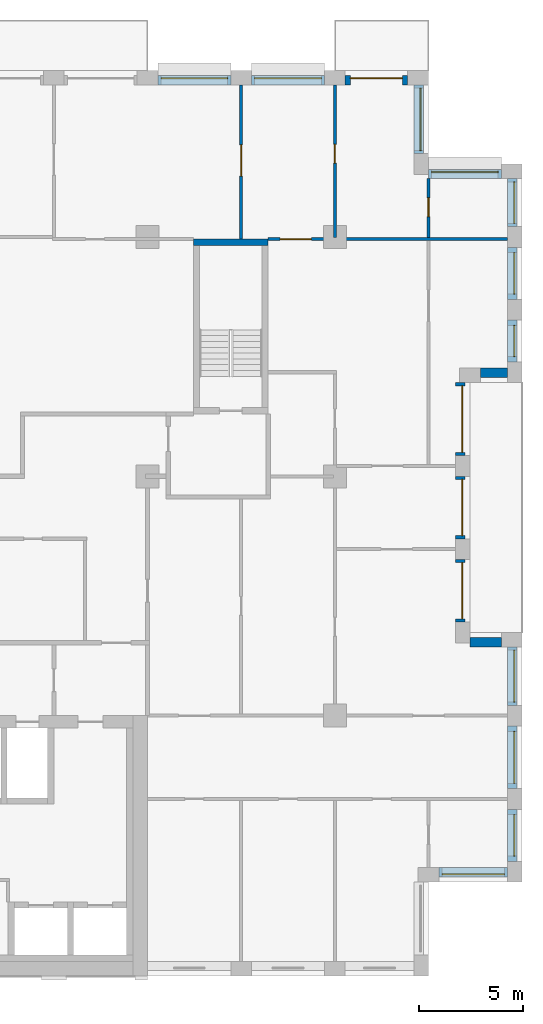
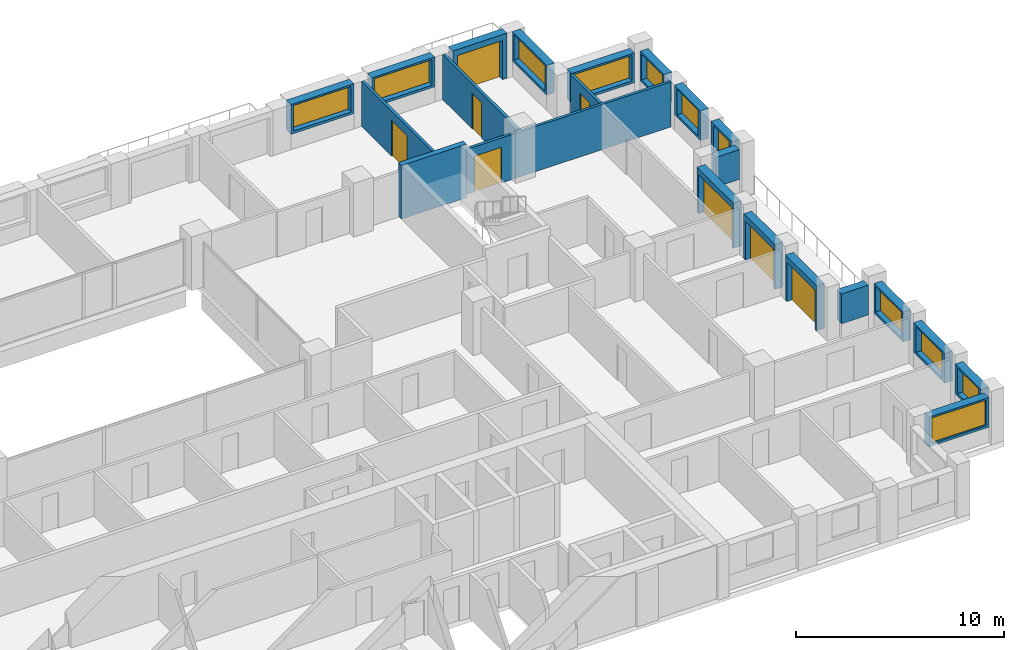
# One storey, part 14 of 16: 22 walls, 11 windows, 8 doors, 19 openings.
"""IFC4 building model written with IfcOpenShell, lengths in metres."""

from ifc_helpers import new_model, si_unit, direction, frame, frame_2d, origin, place, context, subcontext, project, spatial, rectangle, extrude, material, layer, layer_set, type_object, element, fill, save


model = new_model("IFC4")

# Units and contexts
model_context = context("Model", 3, precision=1e-05, world=origin(), true_north=direction((0.0, 1.0)))
body_context = subcontext(model_context, "Body", "Model", "MODEL_VIEW")
ifc_project = project(units=[si_unit("LENGTHUNIT", "METRE"), si_unit("AREAUNIT", "SQUARE_METRE"), si_unit("VOLUMEUNIT", "CUBIC_METRE"), si_unit("PLANEANGLEUNIT", "RADIAN"), si_unit("MASSUNIT", "GRAM", prefix="KILO")], contexts=[model_context])

# Site, building, storey
site_placement = place(None, origin())
site = spatial("IfcSite", under=ifc_project, at=site_placement, CompositionType="ELEMENT")
building_placement = place(site_placement, origin())
building = spatial("IfcBuilding", under=site, at=building_placement, Name="Brigalow Station Residences", CompositionType="ELEMENT")
storey_placement = place(building_placement, frame((0.0, 0.0, 182.25)))
storey = spatial("IfcBuildingStorey", under=building, at=storey_placement, Name="L53", CompositionType="ELEMENT", Elevation=182.25)

# Wall, opening, window
ifc_material_1 = material(Name="Clay brick masonry", Category="masonry")
ifc_layer_1 = layer(ifc_material_1, 0.449951171875)
ifc_layer_set_1 = layer_set([ifc_layer_1], Name="BRICK INFILL WALL 450")
wall_type_1 = type_object("IfcWallType", Name="BRICK INFILL WALL 450", PredefinedType="SOLIDWALL", material=ifc_layer_set_1)
wall_1_placement = place(storey_placement, frame((68.0, 4.97509765625, 0.89990234375), z_axis=(0.0, 0.0, 1.0), x_axis=(1.0, 0.0, 0.0)))
wall_1 = element("IfcWall", 1, at=wall_1_placement, inside=storey, type_object=wall_type_1, Name="L53/ewall/W-L53-8", PredefinedType="SOLIDWALL", context=body_context, shape_type="SweptSolid", body=[
    extrude(rectangle(XDim=3.300048828125, YDim=0.449951171875, at=frame_2d((1.64990234375, 0.0))), origin(), (0.0, 0.0, 1.0), 1.75),
])
opening_1_placement = place(wall_1_placement, frame((0.14990234375, 0.0, 0.14990234375)))
opening_1 = element("IfcOpeningElement", 2, at=opening_1_placement, cuts=wall_1, Name="Opening WT-2", PredefinedType="OPENING", context=body_context, shape_type="SweptSolid", body=[
    extrude(rectangle(XDim=3.0, YDim=1.5, at=frame_2d((1.5, 0.75))), frame((0.0, 0.23486328125, 0.0), z_axis=(0.0, -1.0, 0.0), x_axis=(1.0, 0.0, 0.0)), (0.0, 0.0, 1.0), 0.469970703125),
])
ifc_material_2 = material(Name="Anodised aluminium frame with double glazing", Category="aluminium")
window_type_1 = type_object("IfcWindowType", Name="WINDOW 3000x1500", PartitioningType="SINGLE_PANEL", PredefinedType="WINDOW", material=ifc_material_2)
window_1_placement = place(opening_1_placement, origin())
window_1 = element("IfcWindow", 3, at=window_1_placement, inside=storey, type_object=window_type_1, Name="L53/window/W-L53-8", OverallHeight=1.5, OverallWidth=3.0, PartitioningType="SINGLE_PANEL", PredefinedType="WINDOW", context=body_context, shape_type="SweptSolid", body=[
    extrude(rectangle(XDim=3.0, YDim=1.5, at=frame_2d((1.5, 0.75))), frame((0.0, -0.06494140625, 0.0), z_axis=(0.0, -1.0, 0.0), x_axis=(1.0, 0.0, 0.0)), (0.0, 0.0, 1.0), 0.06005859375),
])
fill(opening_1, window_1)

wall_2_placement = place(storey_placement, frame((71.52490234375, 5.5, 0.89990234375), z_axis=(0.0, 0.0, 1.0), x_axis=(0.0, 1.0, 0.0)))
wall_2 = element("IfcWall", 4, at=wall_2_placement, inside=storey, type_object=wall_type_1, Name="L53/ewall/W-L53-9", PredefinedType="SOLIDWALL", context=body_context, shape_type="SweptSolid", body=[
    extrude(rectangle(XDim=2.5, YDim=0.449951171875, at=frame_2d((1.25, 0.0))), origin(), (0.0, 0.0, 1.0), 1.75),
])
opening_2_placement = place(wall_2_placement, frame((0.25, 0.0, 0.14990234375)))
opening_2 = element("IfcOpeningElement", 5, at=opening_2_placement, cuts=wall_2, Name="Opening WT-7", PredefinedType="OPENING", context=body_context, shape_type="SweptSolid", body=[
    extrude(rectangle(XDim=2.0, YDim=1.5, at=frame_2d((1.0, 0.75))), frame((0.0, 0.23486328125, 0.0), z_axis=(0.0, -1.0, 0.0), x_axis=(1.0, 0.0, 0.0)), (0.0, 0.0, 1.0), 0.469970703125),
])
ifc_material_3 = material(Name="Anodised aluminium frame with double glazing", Category="aluminium")
window_type_2 = type_object("IfcWindowType", Name="WINDOW 2000x1500", PartitioningType="SINGLE_PANEL", PredefinedType="WINDOW", material=ifc_material_3)
window_2_placement = place(opening_2_placement, origin())
window_2 = element("IfcWindow", 6, at=window_2_placement, inside=storey, type_object=window_type_2, Name="L53/window/W-L53-9", OverallHeight=1.5, OverallWidth=2.0, PartitioningType="SINGLE_PANEL", PredefinedType="WINDOW", context=body_context, shape_type="SweptSolid", body=[
    extrude(rectangle(XDim=2.0, YDim=1.5, at=frame_2d((1.0, 0.75))), frame((0.0, -0.06494140625, 0.0), z_axis=(0.0, -1.0, 0.0), x_axis=(1.0, 0.0, 0.0)), (0.0, 0.0, 1.0), 0.06005859375),
])
fill(opening_2, window_2)

wall_3_placement = place(storey_placement, frame((71.52490234375, 9.0, 0.89990234375), z_axis=(0.0, 0.0, 1.0), x_axis=(0.0, 1.0, 0.0)))
wall_3 = element("IfcWall", 7, at=wall_3_placement, inside=storey, type_object=wall_type_1, Name="L53/ewall/W-L53-10", PredefinedType="SOLIDWALL", context=body_context, shape_type="SweptSolid", body=[
    extrude(rectangle(XDim=3.0, YDim=0.449951171875, at=frame_2d((1.5, 0.0))), origin(), (0.0, 0.0, 1.0), 1.75),
])
opening_3_placement = place(wall_3_placement, frame((0.25, 0.0, 0.14990234375)))
opening_3 = element("IfcOpeningElement", 8, at=opening_3_placement, cuts=wall_3, Name="Opening WT-5", PredefinedType="OPENING", context=body_context, shape_type="SweptSolid", body=[
    extrude(rectangle(XDim=2.5, YDim=1.5, at=frame_2d((1.25, 0.75))), frame((0.0, 0.23486328125, 0.0), z_axis=(0.0, -1.0, 0.0), x_axis=(1.0, 0.0, 0.0)), (0.0, 0.0, 1.0), 0.469970703125),
])
ifc_material_4 = material(Name="Anodised aluminium frame with double glazing", Category="aluminium")
window_type_3 = type_object("IfcWindowType", Name="WINDOW 2500x1500", PartitioningType="SINGLE_PANEL", PredefinedType="WINDOW", material=ifc_material_4)
window_3_placement = place(opening_3_placement, origin())
window_3 = element("IfcWindow", 9, at=window_3_placement, inside=storey, type_object=window_type_3, Name="L53/window/W-L53-10", OverallHeight=1.5, OverallWidth=2.5, PartitioningType="SINGLE_PANEL", PredefinedType="WINDOW", context=body_context, shape_type="SweptSolid", body=[
    extrude(rectangle(XDim=2.5, YDim=1.5, at=frame_2d((1.25, 0.75))), frame((0.0, -0.06494140625, 0.0), z_axis=(0.0, -1.0, 0.0), x_axis=(1.0, 0.0, 0.0)), (0.0, 0.0, 1.0), 0.06005859375),
])
fill(opening_3, window_3)

wall_4_placement = place(storey_placement, frame((71.52490234375, 13.0, 0.89990234375), z_axis=(0.0, 0.0, 1.0), x_axis=(0.0, 1.0, 0.0)))
wall_4 = element("IfcWall", 10, at=wall_4_placement, inside=storey, type_object=wall_type_1, Name="L53/ewall/W-L53-11", PredefinedType="SOLIDWALL", context=body_context, shape_type="SweptSolid", body=[
    extrude(rectangle(XDim=2.800048828125, YDim=0.449951171875, at=frame_2d((1.39990234375, 0.0))), origin(), (0.0, 0.0, 1.0), 1.75),
])
opening_4_placement = place(wall_4_placement, frame((0.14990234375, 0.0, 0.14990234375)))
opening_4 = element("IfcOpeningElement", 11, at=opening_4_placement, cuts=wall_4, Name="Opening WT-5", PredefinedType="OPENING", context=body_context, shape_type="SweptSolid", body=[
    extrude(rectangle(XDim=2.5, YDim=1.5, at=frame_2d((1.25, 0.75))), frame((0.0, 0.23486328125, 0.0), z_axis=(0.0, -1.0, 0.0), x_axis=(1.0, 0.0, 0.0)), (0.0, 0.0, 1.0), 0.469970703125),
])
window_4_placement = place(opening_4_placement, origin())
window_4 = element("IfcWindow", 12, at=window_4_placement, inside=storey, type_object=window_type_3, Name="L53/window/W-L53-11", OverallHeight=1.5, OverallWidth=2.5, PartitioningType="SINGLE_PANEL", PredefinedType="WINDOW", context=body_context, shape_type="SweptSolid", body=[
    extrude(rectangle(XDim=2.5, YDim=1.5, at=frame_2d((1.25, 0.75))), frame((0.0, -0.06494140625, 0.0), z_axis=(0.0, -1.0, 0.0), x_axis=(1.0, 0.0, 0.0)), (0.0, 0.0, 1.0), 0.06005859375),
])
fill(opening_4, window_4)

# Wall
wall_5_placement = place(storey_placement, frame((71.0, 16.02490234375, 0.89990234375), z_axis=(0.0, 0.0, 1.0), x_axis=(-1.0, 0.0, 0.0)))
element("IfcWall", 13, at=wall_5_placement, inside=storey, type_object=wall_type_1, Name="L53/ewall/W-L53-12", PredefinedType="SOLIDWALL", context=body_context, shape_type="SweptSolid", body=[
    extrude(rectangle(XDim=1.5, YDim=0.449951171875, at=frame_2d((0.75, 0.0))), origin(), (0.0, 0.0, 1.0), 1.75),
])

# Wall, opening, door
wall_6_placement = place(storey_placement, frame((69.02490234375, 17.0, 0.0), z_axis=(0.0, 0.0, 1.0), x_axis=(0.0, 1.0, 0.0)))
wall_6 = element("IfcWall", 14, at=wall_6_placement, inside=storey, type_object=wall_type_1, Name="L53/ewall/W-L53-13", PredefinedType="SOLIDWALL", context=body_context, shape_type="SweptSolid", body=[
    extrude(rectangle(XDim=3.0, YDim=0.449951171875, at=frame_2d((1.5, 0.0))), origin(), (0.0, 0.0, 1.0), 2.64990234375),
])
opening_5_placement = place(wall_6_placement, frame((0.14990234375, 0.0, 0.0)))
opening_5 = element("IfcOpeningElement", 15, at=opening_5_placement, cuts=wall_6, Name="Opening D-B2700", PredefinedType="OPENING", context=body_context, shape_type="SweptSolid", body=[
    extrude(rectangle(XDim=2.699951171875, YDim=2.300048828125, at=frame_2d((1.35009765625, 1.14990234375))), frame((0.0, 0.23486328125, 0.0), z_axis=(0.0, -1.0, 0.0), x_axis=(1.0, 0.0, 0.0)), (0.0, 0.0, 1.0), 0.469970703125),
])
ifc_material_5 = material(Name="Anodised aluminium frame with double glazing", Category="aluminium")
door_type_1 = type_object("IfcDoorType", Name="BALCONY SLIDING DOOR 2700x2300", OperationType="SLIDING_TO_LEFT", PredefinedType="DOOR", material=ifc_material_5)
door_1_placement = place(opening_5_placement, origin())
door_1 = element("IfcDoor", 16, at=door_1_placement, inside=storey, type_object=door_type_1, Name="L53/balcony-door/W-L53-13", OperationType="SLIDING_TO_LEFT", OverallHeight=2.300048828125, OverallWidth=2.699951171875, PredefinedType="DOOR", context=body_context, shape_type="SweptSolid", body=[
    extrude(rectangle(XDim=2.699951171875, YDim=2.300048828125, at=frame_2d((1.35009765625, 1.14990234375))), frame((0.0, -0.06982421875, 0.0), z_axis=(0.0, -1.0, 0.0), x_axis=(1.0, 0.0, 0.0)), (0.0, 0.0, 1.0), 0.050048828125),
])
fill(opening_5, door_1)

wall_7_placement = place(storey_placement, frame((69.02490234375, 21.0, 0.0), z_axis=(0.0, 0.0, 1.0), x_axis=(0.0, 1.0, 0.0)))
wall_7 = element("IfcWall", 17, at=wall_7_placement, inside=storey, type_object=wall_type_1, Name="L53/ewall/W-L53-14", PredefinedType="SOLIDWALL", context=body_context, shape_type="SweptSolid", body=[
    extrude(rectangle(XDim=3.0, YDim=0.449951171875, at=frame_2d((1.5, 0.0))), origin(), (0.0, 0.0, 1.0), 2.64990234375),
])
opening_6_placement = place(wall_7_placement, frame((0.14990234375, 0.0, 0.0)))
opening_6 = element("IfcOpeningElement", 18, at=opening_6_placement, cuts=wall_7, Name="Opening D-B2700", PredefinedType="OPENING", context=body_context, shape_type="SweptSolid", body=[
    extrude(rectangle(XDim=2.699951171875, YDim=2.300048828125, at=frame_2d((1.35009765625, 1.14990234375))), frame((0.0, 0.23486328125, 0.0), z_axis=(0.0, -1.0, 0.0), x_axis=(1.0, 0.0, 0.0)), (0.0, 0.0, 1.0), 0.469970703125),
])
door_2_placement = place(opening_6_placement, origin())
door_2 = element("IfcDoor", 19, at=door_2_placement, inside=storey, type_object=door_type_1, Name="L53/balcony-door/W-L53-14", OperationType="SLIDING_TO_LEFT", OverallHeight=2.300048828125, OverallWidth=2.699951171875, PredefinedType="DOOR", context=body_context, shape_type="SweptSolid", body=[
    extrude(rectangle(XDim=2.699951171875, YDim=2.300048828125, at=frame_2d((1.35009765625, 1.14990234375))), frame((0.0, -0.06982421875, 0.0), z_axis=(0.0, -1.0, 0.0), x_axis=(1.0, 0.0, 0.0)), (0.0, 0.0, 1.0), 0.050048828125),
])
fill(opening_6, door_2)

wall_8_placement = place(storey_placement, frame((69.02490234375, 25.0, 0.0), z_axis=(0.0, 0.0, 1.0), x_axis=(0.0, 1.0, 0.0)))
wall_8 = element("IfcWall", 20, at=wall_8_placement, inside=storey, type_object=wall_type_1, Name="L53/ewall/W-L53-15", PredefinedType="SOLIDWALL", context=body_context, shape_type="SweptSolid", body=[
    extrude(rectangle(XDim=3.5, YDim=0.449951171875, at=frame_2d((1.75, 0.0))), origin(), (0.0, 0.0, 1.0), 2.64990234375),
])
opening_7_placement = place(wall_8_placement, frame((0.14990234375, 0.0, 0.0)))
opening_7 = element("IfcOpeningElement", 21, at=opening_7_placement, cuts=wall_8, Name="Opening D-B3200", PredefinedType="OPENING", context=body_context, shape_type="SweptSolid", body=[
    extrude(rectangle(XDim=3.199951171875, YDim=2.300048828125, at=frame_2d((1.60009765625, 1.14990234375))), frame((0.0, 0.23486328125, 0.0), z_axis=(0.0, -1.0, 0.0), x_axis=(1.0, 0.0, 0.0)), (0.0, 0.0, 1.0), 0.469970703125),
])
ifc_material_6 = material(Name="Anodised aluminium frame with double glazing", Category="aluminium")
door_type_2 = type_object("IfcDoorType", Name="BALCONY SLIDING DOOR 3200x2300", OperationType="SLIDING_TO_LEFT", PredefinedType="DOOR", material=ifc_material_6)
door_3_placement = place(opening_7_placement, origin())
door_3 = element("IfcDoor", 22, at=door_3_placement, inside=storey, type_object=door_type_2, Name="L53/balcony-door/W-L53-15", OperationType="SLIDING_TO_LEFT", OverallHeight=2.300048828125, OverallWidth=3.199951171875, PredefinedType="DOOR", context=body_context, shape_type="SweptSolid", body=[
    extrude(rectangle(XDim=3.199951171875, YDim=2.300048828125, at=frame_2d((1.60009765625, 1.14990234375))), frame((0.0, -0.06982421875, 0.0), z_axis=(0.0, -1.0, 0.0), x_axis=(1.0, 0.0, 0.0)), (0.0, 0.0, 1.0), 0.050048828125),
])
fill(opening_7, door_3)

# Wall
wall_9_placement = place(storey_placement, frame((70.0, 28.97509765625, 0.89990234375), z_axis=(0.0, 0.0, 1.0), x_axis=(1.0, 0.0, 0.0)))
element("IfcWall", 23, at=wall_9_placement, inside=storey, type_object=wall_type_1, Name="L53/ewall/W-L53-16", PredefinedType="SOLIDWALL", context=body_context, shape_type="SweptSolid", body=[
    extrude(rectangle(XDim=1.300048828125, YDim=0.449951171875, at=frame_2d((0.64990234375, 0.0))), origin(), (0.0, 0.0, 1.0), 1.75),
])

# Wall, opening, window
wall_10_placement = place(storey_placement, frame((71.52490234375, 29.5, 0.89990234375), z_axis=(0.0, 0.0, 1.0), x_axis=(0.0, 1.0, 0.0)))
wall_10 = element("IfcWall", 24, at=wall_10_placement, inside=storey, type_object=wall_type_1, Name="L53/ewall/W-L53-17", PredefinedType="SOLIDWALL", context=body_context, shape_type="SweptSolid", body=[
    extrude(rectangle(XDim=2.0, YDim=0.449951171875, at=frame_2d((1.0, 0.0))), origin(), (0.0, 0.0, 1.0), 1.75),
])
opening_8_placement = place(wall_10_placement, frame((0.25, 0.0, 0.14990234375)))
opening_8 = element("IfcOpeningElement", 25, at=opening_8_placement, cuts=wall_10, Name="Opening WT-1", PredefinedType="OPENING", context=body_context, shape_type="SweptSolid", body=[
    extrude(rectangle(XDim=1.5, YDim=1.5, at=frame_2d((0.75, 0.75))), frame((0.0, 0.23486328125, 0.0), z_axis=(0.0, -1.0, 0.0), x_axis=(1.0, 0.0, 0.0)), (0.0, 0.0, 1.0), 0.469970703125),
])
ifc_material_7 = material(Name="Anodised aluminium frame with double glazing", Category="aluminium")
window_type_4 = type_object("IfcWindowType", Name="WINDOW 1500x1500", PartitioningType="SINGLE_PANEL", PredefinedType="WINDOW", material=ifc_material_7)
window_5_placement = place(opening_8_placement, origin())
window_5 = element("IfcWindow", 26, at=window_5_placement, inside=storey, type_object=window_type_4, Name="L53/window/W-L53-17", OverallHeight=1.5, OverallWidth=1.5, PartitioningType="SINGLE_PANEL", PredefinedType="WINDOW", context=body_context, shape_type="SweptSolid", body=[
    extrude(rectangle(XDim=1.5, YDim=1.5, at=frame_2d((0.75, 0.75))), frame((0.0, -0.06494140625, 0.0), z_axis=(0.0, -1.0, 0.0), x_axis=(1.0, 0.0, 0.0)), (0.0, 0.0, 1.0), 0.06005859375),
])
fill(opening_8, window_5)

wall_11_placement = place(storey_placement, frame((71.52490234375, 32.5, 0.89990234375), z_axis=(0.0, 0.0, 1.0), x_axis=(0.0, 1.0, 0.0)))
wall_11 = element("IfcWall", 27, at=wall_11_placement, inside=storey, type_object=wall_type_1, Name="L53/ewall/W-L53-18", PredefinedType="SOLIDWALL", context=body_context, shape_type="SweptSolid", body=[
    extrude(rectangle(XDim=2.5, YDim=0.449951171875, at=frame_2d((1.25, 0.0))), origin(), (0.0, 0.0, 1.0), 1.75),
])
opening_9_placement = place(wall_11_placement, frame((0.25, 0.0, 0.14990234375)))
opening_9 = element("IfcOpeningElement", 28, at=opening_9_placement, cuts=wall_11, Name="Opening WT-7", PredefinedType="OPENING", context=body_context, shape_type="SweptSolid", body=[
    extrude(rectangle(XDim=2.0, YDim=1.5, at=frame_2d((1.0, 0.75))), frame((0.0, 0.23486328125, 0.0), z_axis=(0.0, -1.0, 0.0), x_axis=(1.0, 0.0, 0.0)), (0.0, 0.0, 1.0), 0.469970703125),
])
window_6_placement = place(opening_9_placement, origin())
window_6 = element("IfcWindow", 29, at=window_6_placement, inside=storey, type_object=window_type_2, Name="L53/window/W-L53-18", OverallHeight=1.5, OverallWidth=2.0, PartitioningType="SINGLE_PANEL", PredefinedType="WINDOW", context=body_context, shape_type="SweptSolid", body=[
    extrude(rectangle(XDim=2.0, YDim=1.5, at=frame_2d((1.0, 0.75))), frame((0.0, -0.06494140625, 0.0), z_axis=(0.0, -1.0, 0.0), x_axis=(1.0, 0.0, 0.0)), (0.0, 0.0, 1.0), 0.06005859375),
])
fill(opening_9, window_6)

wall_12_placement = place(storey_placement, frame((71.52490234375, 36.0, 0.89990234375), z_axis=(0.0, 0.0, 1.0), x_axis=(0.0, 1.0, 0.0)))
wall_12 = element("IfcWall", 30, at=wall_12_placement, inside=storey, type_object=wall_type_1, Name="L53/ewall/W-L53-19", PredefinedType="SOLIDWALL", context=body_context, shape_type="SweptSolid", body=[
    extrude(rectangle(XDim=2.300048828125, YDim=0.449951171875, at=frame_2d((1.14990234375, 0.0))), origin(), (0.0, 0.0, 1.0), 1.75),
])
opening_10_placement = place(wall_12_placement, frame((0.14990234375, 0.0, 0.14990234375)))
opening_10 = element("IfcOpeningElement", 31, at=opening_10_placement, cuts=wall_12, Name="Opening WT-7", PredefinedType="OPENING", context=body_context, shape_type="SweptSolid", body=[
    extrude(rectangle(XDim=2.0, YDim=1.5, at=frame_2d((1.0, 0.75))), frame((0.0, 0.23486328125, 0.0), z_axis=(0.0, -1.0, 0.0), x_axis=(1.0, 0.0, 0.0)), (0.0, 0.0, 1.0), 0.469970703125),
])
window_7_placement = place(opening_10_placement, origin())
window_7 = element("IfcWindow", 32, at=window_7_placement, inside=storey, type_object=window_type_2, Name="L53/window/W-L53-19", OverallHeight=1.5, OverallWidth=2.0, PartitioningType="SINGLE_PANEL", PredefinedType="WINDOW", context=body_context, shape_type="SweptSolid", body=[
    extrude(rectangle(XDim=2.0, YDim=1.5, at=frame_2d((1.0, 0.75))), frame((0.0, -0.06494140625, 0.0), z_axis=(0.0, -1.0, 0.0), x_axis=(1.0, 0.0, 0.0)), (0.0, 0.0, 1.0), 0.06005859375),
])
fill(opening_10, window_7)

wall_13_placement = place(storey_placement, frame((71.0, 38.52490234375, 0.89990234375), z_axis=(0.0, 0.0, 1.0), x_axis=(-1.0, 0.0, 0.0)))
wall_13 = element("IfcWall", 33, at=wall_13_placement, inside=storey, type_object=wall_type_1, Name="L53/ewall/W-L53-20", PredefinedType="SOLIDWALL", context=body_context, shape_type="SweptSolid", body=[
    extrude(rectangle(XDim=3.5, YDim=0.449951171875, at=frame_2d((1.75, 0.0))), origin(), (0.0, 0.0, 1.0), 1.75),
])
opening_11_placement = place(wall_13_placement, frame((0.14990234375, 0.0, 0.14990234375)))
opening_11 = element("IfcOpeningElement", 34, at=opening_11_placement, cuts=wall_13, Name="Opening WT-9", PredefinedType="OPENING", context=body_context, shape_type="SweptSolid", body=[
    extrude(rectangle(XDim=3.199951171875, YDim=1.5, at=frame_2d((1.60009765625, 0.75))), frame((0.0, 0.23486328125, 0.0), z_axis=(0.0, -1.0, 0.0), x_axis=(1.0, 0.0, 0.0)), (0.0, 0.0, 1.0), 0.469970703125),
])
ifc_material_8 = material(Name="Anodised aluminium frame with double glazing", Category="aluminium")
window_type_5 = type_object("IfcWindowType", Name="WINDOW 3200x1500", PartitioningType="SINGLE_PANEL", PredefinedType="WINDOW", material=ifc_material_8)
window_8_placement = place(opening_11_placement, origin())
window_8 = element("IfcWindow", 35, at=window_8_placement, inside=storey, type_object=window_type_5, Name="L53/window/W-L53-20", OverallHeight=1.5, OverallWidth=3.199951171875, PartitioningType="SINGLE_PANEL", PredefinedType="WINDOW", context=body_context, shape_type="SweptSolid", body=[
    extrude(rectangle(XDim=3.199951171875, YDim=1.5, at=frame_2d((1.60009765625, 0.75))), frame((0.0, -0.06494140625, 0.0), z_axis=(0.0, -1.0, 0.0), x_axis=(1.0, 0.0, 0.0)), (0.0, 0.0, 1.0), 0.06005859375),
])
fill(opening_11, window_8)

wall_14_placement = place(storey_placement, frame((67.02490234375, 39.5, 0.89990234375), z_axis=(0.0, 0.0, 1.0), x_axis=(0.0, 1.0, 0.0)))
wall_14 = element("IfcWall", 36, at=wall_14_placement, inside=storey, type_object=wall_type_1, Name="L53/ewall/W-L53-21", PredefinedType="SOLIDWALL", context=body_context, shape_type="SweptSolid", body=[
    extrude(rectangle(XDim=3.300048828125, YDim=0.449951171875, at=frame_2d((1.64990234375, 0.0))), origin(), (0.0, 0.0, 1.0), 1.75),
])
opening_12_placement = place(wall_14_placement, frame((0.14990234375, 0.0, 0.14990234375)))
opening_12 = element("IfcOpeningElement", 37, at=opening_12_placement, cuts=wall_14, Name="Opening WT-2", PredefinedType="OPENING", context=body_context, shape_type="SweptSolid", body=[
    extrude(rectangle(XDim=3.0, YDim=1.5, at=frame_2d((1.5, 0.75))), frame((0.0, 0.23486328125, 0.0), z_axis=(0.0, -1.0, 0.0), x_axis=(1.0, 0.0, 0.0)), (0.0, 0.0, 1.0), 0.469970703125),
])
window_9_placement = place(opening_12_placement, origin())
window_9 = element("IfcWindow", 38, at=window_9_placement, inside=storey, type_object=window_type_1, Name="L53/window/W-L53-21", OverallHeight=1.5, OverallWidth=3.0, PartitioningType="SINGLE_PANEL", PredefinedType="WINDOW", context=body_context, shape_type="SweptSolid", body=[
    extrude(rectangle(XDim=3.0, YDim=1.5, at=frame_2d((1.5, 0.75))), frame((0.0, -0.06494140625, 0.0), z_axis=(0.0, -1.0, 0.0), x_axis=(1.0, 0.0, 0.0)), (0.0, 0.0, 1.0), 0.06005859375),
])
fill(opening_12, window_9)

# Wall, opening, door
wall_15_placement = place(storey_placement, frame((66.5, 43.02490234375, 0.0), z_axis=(0.0, 0.0, 1.0), x_axis=(-1.0, 0.0, 0.0)))
wall_15 = element("IfcWall", 39, at=wall_15_placement, inside=storey, type_object=wall_type_1, Name="L53/ewall/W-L53-22", PredefinedType="SOLIDWALL", context=body_context, shape_type="SweptSolid", body=[
    extrude(rectangle(XDim=3.0, YDim=0.449951171875, at=frame_2d((1.5, 0.0))), origin(), (0.0, 0.0, 1.0), 2.64990234375),
])
opening_13_placement = place(wall_15_placement, frame((0.25, 0.0, 0.0)))
opening_13 = element("IfcOpeningElement", 40, at=opening_13_placement, cuts=wall_15, Name="Opening D-B2500", PredefinedType="OPENING", context=body_context, shape_type="SweptSolid", body=[
    extrude(rectangle(XDim=2.5, YDim=2.300048828125, at=frame_2d((1.25, 1.14990234375))), frame((0.0, 0.23486328125, 0.0), z_axis=(0.0, -1.0, 0.0), x_axis=(1.0, 0.0, 0.0)), (0.0, 0.0, 1.0), 0.469970703125),
])
ifc_material_9 = material(Name="Anodised aluminium frame with double glazing", Category="aluminium")
door_type_3 = type_object("IfcDoorType", Name="BALCONY SLIDING DOOR 2500x2300", OperationType="SLIDING_TO_LEFT", PredefinedType="DOOR", material=ifc_material_9)
door_4_placement = place(opening_13_placement, origin())
door_4 = element("IfcDoor", 41, at=door_4_placement, inside=storey, type_object=door_type_3, Name="L53/balcony-door/W-L53-22", OperationType="SLIDING_TO_LEFT", OverallHeight=2.300048828125, OverallWidth=2.5, PredefinedType="DOOR", context=body_context, shape_type="SweptSolid", body=[
    extrude(rectangle(XDim=2.5, YDim=2.300048828125, at=frame_2d((1.25, 1.14990234375))), frame((0.0, -0.06982421875, 0.0), z_axis=(0.0, -1.0, 0.0), x_axis=(1.0, 0.0, 0.0)), (0.0, 0.0, 1.0), 0.050048828125),
])
fill(opening_13, door_4)

# Wall, opening, window
wall_16_placement = place(storey_placement, frame((62.5, 43.02490234375, 0.89990234375), z_axis=(0.0, 0.0, 1.0), x_axis=(-1.0, 0.0, 0.0)))
wall_16 = element("IfcWall", 42, at=wall_16_placement, inside=storey, type_object=wall_type_1, Name="L53/ewall/W-L53-23", PredefinedType="SOLIDWALL", context=body_context, shape_type="SweptSolid", body=[
    extrude(rectangle(XDim=3.5, YDim=0.449951171875, at=frame_2d((1.75, 0.0))), origin(), (0.0, 0.0, 1.0), 1.75),
])
opening_14_placement = place(wall_16_placement, frame((0.14990234375, 0.0, 0.14990234375)))
opening_14 = element("IfcOpeningElement", 43, at=opening_14_placement, cuts=wall_16, Name="Opening WT-9", PredefinedType="OPENING", context=body_context, shape_type="SweptSolid", body=[
    extrude(rectangle(XDim=3.199951171875, YDim=1.5, at=frame_2d((1.60009765625, 0.75))), frame((0.0, 0.23486328125, 0.0), z_axis=(0.0, -1.0, 0.0), x_axis=(1.0, 0.0, 0.0)), (0.0, 0.0, 1.0), 0.469970703125),
])
window_10_placement = place(opening_14_placement, origin())
window_10 = element("IfcWindow", 44, at=window_10_placement, inside=storey, type_object=window_type_5, Name="L53/window/W-L53-23", OverallHeight=1.5, OverallWidth=3.199951171875, PartitioningType="SINGLE_PANEL", PredefinedType="WINDOW", context=body_context, shape_type="SweptSolid", body=[
    extrude(rectangle(XDim=3.199951171875, YDim=1.5, at=frame_2d((1.60009765625, 0.75))), frame((0.0, -0.06494140625, 0.0), z_axis=(0.0, -1.0, 0.0), x_axis=(1.0, 0.0, 0.0)), (0.0, 0.0, 1.0), 0.06005859375),
])
fill(opening_14, window_10)

wall_17_placement = place(storey_placement, frame((58.0, 43.02490234375, 0.89990234375), z_axis=(0.0, 0.0, 1.0), x_axis=(-1.0, 0.0, 0.0)))
wall_17 = element("IfcWall", 45, at=wall_17_placement, inside=storey, type_object=wall_type_1, Name="L53/ewall/W-L53-24", PredefinedType="SOLIDWALL", context=body_context, shape_type="SweptSolid", body=[
    extrude(rectangle(XDim=3.5, YDim=0.449951171875, at=frame_2d((1.75, 0.0))), origin(), (0.0, 0.0, 1.0), 1.75),
])
opening_15_placement = place(wall_17_placement, frame((0.14990234375, 0.0, 0.14990234375)))
opening_15 = element("IfcOpeningElement", 46, at=opening_15_placement, cuts=wall_17, Name="Opening WT-9", PredefinedType="OPENING", context=body_context, shape_type="SweptSolid", body=[
    extrude(rectangle(XDim=3.199951171875, YDim=1.5, at=frame_2d((1.60009765625, 0.75))), frame((0.0, 0.23486328125, 0.0), z_axis=(0.0, -1.0, 0.0), x_axis=(1.0, 0.0, 0.0)), (0.0, 0.0, 1.0), 0.469970703125),
])
window_11_placement = place(opening_15_placement, origin())
window_11 = element("IfcWindow", 47, at=window_11_placement, inside=storey, type_object=window_type_5, Name="L53/window/W-L53-24", OverallHeight=1.5, OverallWidth=3.199951171875, PartitioningType="SINGLE_PANEL", PredefinedType="WINDOW", context=body_context, shape_type="SweptSolid", body=[
    extrude(rectangle(XDim=3.199951171875, YDim=1.5, at=frame_2d((1.60009765625, 0.75))), frame((0.0, -0.06494140625, 0.0), z_axis=(0.0, -1.0, 0.0), x_axis=(1.0, 0.0, 0.0)), (0.0, 0.0, 1.0), 0.06005859375),
])
fill(opening_15, window_11)

# Wall
ifc_material_10 = material(Name="Concrete C65", Category="concrete")
ifc_layer_2 = layer(ifc_material_10, 0.300048828125)
ifc_layer_set_2 = layer_set([ifc_layer_2], Name="CORE SHEAR WALL 300 C65")
wall_type_2 = type_object("IfcWallType", Name="CORE SHEAR WALL 300 C65", PredefinedType="SHEAR", material=ifc_layer_set_2)
wall_18_placement = place(storey_placement, frame((56.199951171875, 35.25, 0.0), z_axis=(0.0, 0.0, 1.0), x_axis=(1.0, 0.0, 0.0)))
element("IfcWall", 48, at=wall_18_placement, inside=storey, type_object=wall_type_2, Name="CORE WALL ST-S3-N L53", PredefinedType="SHEAR", context=body_context, shape_type="SweptSolid", body=[
    extrude(rectangle(XDim=3.60009765625, YDim=0.300048828125, at=frame_2d((1.800048828125, 0.0))), origin(), (0.0, 0.0, 1.0), 3.14990234375),
])

# Wall, opening, door
ifc_material_11 = material(Name="Plasterboard on steel stud partition", Category="steel")
ifc_layer_3 = layer(ifc_material_11, 0.14990234375)
ifc_layer_set_3 = layer_set([ifc_layer_3], Name="FLAT PARTITION 150")
wall_type_3 = type_object("IfcWallType", Name="FLAT PARTITION 150", PredefinedType="PARTITIONING", material=ifc_layer_set_3)
wall_19_placement = place(storey_placement, frame((59.800048828125, 35.39990234375, 0.0), z_axis=(0.0, 0.0, 1.0), x_axis=(1.0, 0.0, 0.0)))
wall_19 = element("IfcWall", 49, at=wall_19_placement, inside=storey, type_object=wall_type_3, Name="PW-3F13", PredefinedType="PARTITIONING", context=body_context, shape_type="SweptSolid", body=[
    extrude(rectangle(XDim=11.5, YDim=0.14990234375, at=frame_2d((5.75, 0.0))), origin(), (0.0, 0.0, 1.0), 2.64990234375),
])
opening_16_placement = place(wall_19_placement, frame((0.574951171875, 0.0, 0.0)))
opening_16 = element("IfcOpeningElement", 50, at=opening_16_placement, cuts=wall_19, Name="Opening D-3F30", PredefinedType="OPENING", context=body_context, shape_type="SweptSolid", body=[
    extrude(rectangle(XDim=1.5, YDim=2.10009765625, at=frame_2d((0.75, 1.050048828125))), frame((0.0, 0.0849609375, 0.0), z_axis=(0.0, -1.0, 0.0), x_axis=(1.0, 0.0, 0.0)), (0.0, 0.0, 1.0), 0.169921875),
])
ifc_material_12 = material(Name="Solid-core timber door leaf", Category="wood")
door_type_4 = type_object("IfcDoorType", Name="INTERNAL DOUBLE DOOR 1500 x 2100", OperationType="DOUBLE_DOOR_SINGLE_SWING", PredefinedType="DOOR", material=ifc_material_12)
door_5_placement = place(opening_16_placement, origin())
door_5 = element("IfcDoor", 51, at=door_5_placement, inside=storey, type_object=door_type_4, Name="D-3F30", OperationType="DOUBLE_DOOR_SINGLE_SWING", OverallHeight=2.10009765625, OverallWidth=1.5, PredefinedType="DOOR", context=body_context, shape_type="SweptSolid", body=[
    extrude(rectangle(XDim=1.5, YDim=2.10009765625, at=frame_2d((0.75, 1.050048828125))), frame((0.0, 0.02490234375, 0.0), z_axis=(0.0, -1.0, 0.0), x_axis=(1.0, 0.0, 0.0)), (0.0, 0.0, 1.0), 0.050048828125),
])
fill(opening_16, door_5)

wall_20_placement = place(storey_placement, frame((58.5, 35.39990234375, 0.0), z_axis=(0.0, 0.0, 1.0), x_axis=(0.0, 1.0, 0.0)))
wall_20 = element("IfcWall", 52, at=wall_20_placement, inside=storey, type_object=wall_type_3, Name="PW-3F45", PredefinedType="PARTITIONING", context=body_context, shape_type="SweptSolid", body=[
    extrude(rectangle(XDim=7.400146484375, YDim=0.14990234375, at=frame_2d((3.7001953125, 0.0))), origin(), (0.0, 0.0, 1.0), 2.64990234375),
])
opening_17_placement = place(wall_20_placement, frame((3.02490234375, 0.0, 0.0)))
opening_17 = element("IfcOpeningElement", 53, at=opening_17_placement, cuts=wall_20, Name="Opening D-3F31", PredefinedType="OPENING", context=body_context, shape_type="SweptSolid", body=[
    extrude(rectangle(XDim=1.5, YDim=2.10009765625, at=frame_2d((0.75, 1.050048828125))), frame((0.0, 0.0849609375, 0.0), z_axis=(0.0, -1.0, 0.0), x_axis=(1.0, 0.0, 0.0)), (0.0, 0.0, 1.0), 0.169921875),
])
door_6_placement = place(opening_17_placement, frame((1.5, 0.0, 0.0), z_axis=(0.0, 0.0, 1.0), x_axis=(-1.0, 0.0, 0.0)))
door_6 = element("IfcDoor", 54, at=door_6_placement, inside=storey, type_object=door_type_4, Name="D-3F31", OperationType="DOUBLE_DOOR_SINGLE_SWING", OverallHeight=2.10009765625, OverallWidth=1.5, PredefinedType="DOOR", context=body_context, shape_type="SweptSolid", body=[
    extrude(rectangle(XDim=1.5, YDim=2.10009765625, at=frame_2d((0.75, 1.050048828125))), frame((0.0, 0.02490234375, 0.0), z_axis=(0.0, -1.0, 0.0), x_axis=(1.0, 0.0, 0.0)), (0.0, 0.0, 1.0), 0.050048828125),
])
fill(opening_17, door_6)

wall_21_placement = place(storey_placement, frame((63.0, 35.47509765625, 0.0), z_axis=(0.0, 0.0, 1.0), x_axis=(0.0, 1.0, 0.0)))
wall_21 = element("IfcWall", 55, at=wall_21_placement, inside=storey, type_object=wall_type_3, Name="PW-3F48", PredefinedType="PARTITIONING", context=body_context, shape_type="SweptSolid", body=[
    extrude(rectangle(XDim=7.324951171875, YDim=0.14990234375, at=frame_2d((3.66259765625, 0.0))), origin(), (0.0, 0.0, 1.0), 2.64990234375),
])
opening_18_placement = place(wall_21_placement, frame((3.574951171875, 0.0, 0.0)))
opening_18 = element("IfcOpeningElement", 56, at=opening_18_placement, cuts=wall_21, Name="Opening D-3F32", PredefinedType="OPENING", context=body_context, shape_type="SweptSolid", body=[
    extrude(rectangle(XDim=0.89990234375, YDim=2.10009765625, at=frame_2d((0.449951171875, 1.050048828125))), frame((0.0, 0.0849609375, 0.0), z_axis=(0.0, -1.0, 0.0), x_axis=(1.0, 0.0, 0.0)), (0.0, 0.0, 1.0), 0.169921875),
])
ifc_material_13 = material(Name="Solid-core timber door leaf", Category="wood")
door_type_5 = type_object("IfcDoorType", Name="INTERNAL DOOR 900 x 2100", OperationType="SINGLE_SWING_LEFT", PredefinedType="DOOR", material=ifc_material_13)
door_7_placement = place(opening_18_placement, frame((0.89990234375, 0.0, 0.0), z_axis=(0.0, 0.0, 1.0), x_axis=(-1.0, 0.0, 0.0)))
door_7 = element("IfcDoor", 57, at=door_7_placement, inside=storey, type_object=door_type_5, Name="D-3F32", OperationType="SINGLE_SWING_LEFT", OverallHeight=2.10009765625, OverallWidth=0.89990234375, PredefinedType="DOOR", context=body_context, shape_type="SweptSolid", body=[
    extrude(rectangle(XDim=0.89990234375, YDim=2.10009765625, at=frame_2d((0.449951171875, 1.050048828125))), frame((0.0, 0.02490234375, 0.0), z_axis=(0.0, -1.0, 0.0), x_axis=(1.0, 0.0, 0.0)), (0.0, 0.0, 1.0), 0.050048828125),
])
fill(opening_18, door_7)

wall_22_placement = place(storey_placement, frame((67.5, 35.47509765625, 0.0), z_axis=(0.0, 0.0, 1.0), x_axis=(0.0, 1.0, 0.0)))
wall_22 = element("IfcWall", 58, at=wall_22_placement, inside=storey, type_object=wall_type_3, Name="PW-3F51", PredefinedType="PARTITIONING", context=body_context, shape_type="SweptSolid", body=[
    extrude(rectangle(XDim=2.824951171875, YDim=0.14990234375, at=frame_2d((1.41259765625, 0.0))), origin(), (0.0, 0.0, 1.0), 2.64990234375),
])
opening_19_placement = place(wall_22_placement, frame((1.0, 0.0, 0.0)))
opening_19 = element("IfcOpeningElement", 59, at=opening_19_placement, cuts=wall_22, Name="Opening D-3F35", PredefinedType="OPENING", context=body_context, shape_type="SweptSolid", body=[
    extrude(rectangle(XDim=0.89990234375, YDim=2.10009765625, at=frame_2d((0.449951171875, 1.050048828125))), frame((0.0, 0.0849609375, 0.0), z_axis=(0.0, -1.0, 0.0), x_axis=(1.0, 0.0, 0.0)), (0.0, 0.0, 1.0), 0.169921875),
])
door_8_placement = place(opening_19_placement, frame((0.89990234375, 0.0, 0.0), z_axis=(0.0, 0.0, 1.0), x_axis=(-1.0, 0.0, 0.0)))
door_8 = element("IfcDoor", 60, at=door_8_placement, inside=storey, type_object=door_type_5, Name="D-3F35", OperationType="SINGLE_SWING_LEFT", OverallHeight=2.10009765625, OverallWidth=0.89990234375, PredefinedType="DOOR", context=body_context, shape_type="SweptSolid", body=[
    extrude(rectangle(XDim=0.89990234375, YDim=2.10009765625, at=frame_2d((0.449951171875, 1.050048828125))), frame((0.0, 0.02490234375, 0.0), z_axis=(0.0, -1.0, 0.0), x_axis=(1.0, 0.0, 0.0)), (0.0, 0.0, 1.0), 0.050048828125),
])
fill(opening_19, door_8)

save(model, "model.ifc")
